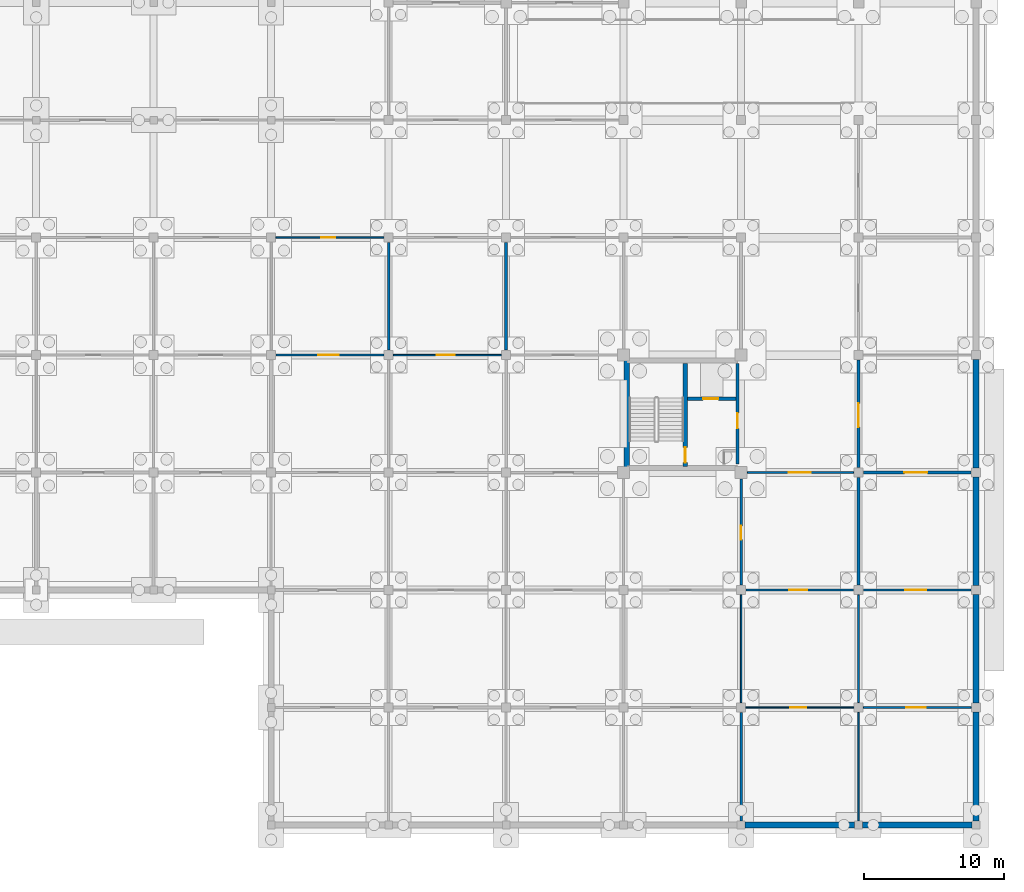
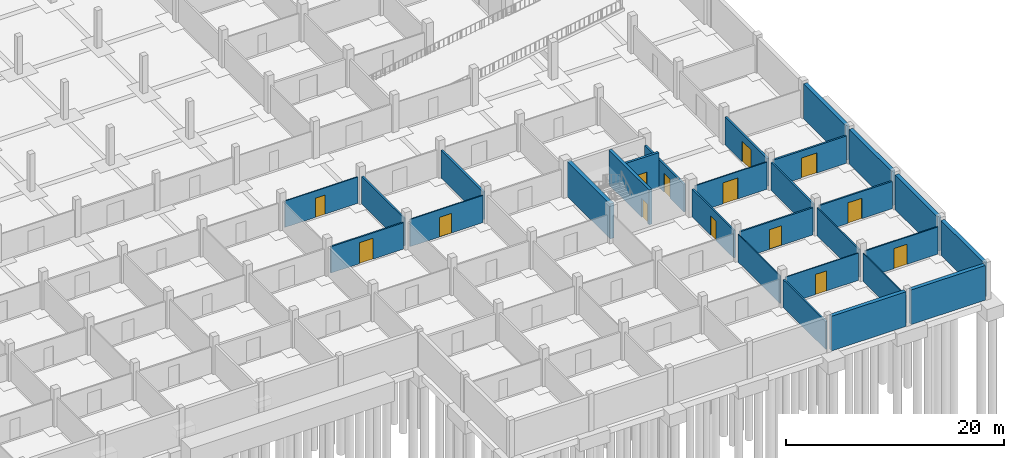
# One storey, part 33 of 43: 28 walls, 14 doors, 14 openings.
"""IFC4 building model written with IfcOpenShell, lengths in metres."""

from ifc_helpers import new_model, si_unit, direction, frame, frame_2d, origin, place, context, subcontext, project, spatial, rectangle, extrude, material, layer, layer_set, type_object, element, fill, save


model = new_model("IFC4")

# Units and contexts
model_context = context("Model", 3, precision=1e-05, world=origin(), true_north=direction((0.0, 1.0)))
body_context = subcontext(model_context, "Body", "Model", "MODEL_VIEW")
ifc_project = project(units=[si_unit("LENGTHUNIT", "METRE"), si_unit("AREAUNIT", "SQUARE_METRE"), si_unit("VOLUMEUNIT", "CUBIC_METRE"), si_unit("PLANEANGLEUNIT", "RADIAN"), si_unit("MASSUNIT", "GRAM", prefix="KILO")], contexts=[model_context])

# Site, building, storey
site_placement = place(None, origin())
site = spatial("IfcSite", under=ifc_project, at=site_placement, CompositionType="ELEMENT")
building_placement = place(site_placement, origin())
building = spatial("IfcBuilding", under=site, at=building_placement, Name="Varnapada Polytechnic", CompositionType="ELEMENT")
storey_placement = place(building_placement, frame((0.0, 0.0, -4.199951171875)))
storey = spatial("IfcBuildingStorey", under=building, at=storey_placement, Name="B1", CompositionType="ELEMENT", Elevation=-4.199951171875)

# Wall, opening, door
ifc_material_1 = material(Name="Autoclaved Aerated Concrete Block AAC-600", Category="concrete")
ifc_layer_1 = layer(ifc_material_1, 0.199951171875)
ifc_layer_set_1 = layer_set([ifc_layer_1], Name="Autoclaved Aerated Concrete Block AAC-600")
wall_type_1 = type_object("IfcWallType", Name="Interior Wall IW-01", PredefinedType="PARTITIONING", material=ifc_layer_set_1)
wall_1_placement = place(storey_placement, frame((159.340087890625, 33.0, 0.0), z_axis=(0.0, 0.0, 1.0), x_axis=(0.0, -1.0, 0.0)))
wall_1 = element("IfcWall", 1, at=wall_1_placement, inside=storey, type_object=wall_type_1, Name="B1 C6 firefighting lobby east wall", PredefinedType="PARTITIONING", context=body_context, shape_type="SweptSolid", body=[
    extrude(rectangle(XDim=7.199951171875, YDim=0.199951171875, at=frame_2d((3.60009765625, 0.0))), origin(), (0.0, 0.0, 1.0), 3.099853515625),
])
opening_1_placement = place(wall_1_placement, frame((3.550048828125, 0.0, 0.0)))
opening_1 = element("IfcOpeningElement", 2, at=opening_1_placement, cuts=wall_1, Name="Opening D-609", PredefinedType="OPENING", context=body_context, shape_type="SweptSolid", body=[
    extrude(rectangle(XDim=1.10009765625, YDim=2.14990234375, at=frame_2d((0.550048828125, 1.074951171875))), frame((0.0, 0.10986328125, 0.0), z_axis=(0.0, -1.0, 0.0), x_axis=(1.0, 0.0, 0.0)), (0.0, 0.0, 1.0), 0.219970703125),
])
ifc_material_2 = material(Name="Galvanized Steel Z275", Category="steel")
door_type_1 = type_object("IfcDoorType", Name="Interior Door ID-01", OperationType="NOTDEFINED", PredefinedType="DOOR", material=ifc_material_2)
door_1_placement = place(opening_1_placement, frame((1.10009765625, 0.0, 0.0), z_axis=(0.0, 0.0, 1.0), x_axis=(-1.0, 0.0, 0.0)))
door_1 = element("IfcDoor", 3, at=door_1_placement, inside=storey, type_object=door_type_1, Name="B1 C6 lobby fire door D-609", OperationType="SINGLE_SWING_LEFT", OverallHeight=2.14990234375, OverallWidth=1.10009765625, PredefinedType="DOOR", context=body_context, shape_type="SweptSolid", body=[
    extrude(rectangle(XDim=1.10009765625, YDim=2.14990234375, at=frame_2d((0.550048828125, 1.074951171875))), frame((0.0, 0.02490234375, 0.0), z_axis=(0.0, -1.0, 0.0), x_axis=(1.0, 0.0, 0.0)), (0.0, 0.0, 1.0), 0.050048828125),
])
fill(opening_1, door_1)

ifc_material_3 = material(Name="Cross-laminated timber CLT C24", Category="wood")
ifc_layer_2 = layer(ifc_material_3, 0.159912109375)
ifc_layer_set_2 = layer_set([ifc_layer_2], Name="Cross-laminated timber CLT C24")
wall_type_2 = type_object("IfcWallType", Name="Interior Wall IW-05", PredefinedType="PARTITIONING", material=ifc_layer_set_2)
wall_2_placement = place(storey_placement, frame((126.344970703125, 33.60009765625, 0.0), z_axis=(0.0, 0.0, 1.0), x_axis=(1.0, 0.0, 0.0)))
wall_2 = element("IfcWall", 4, at=wall_2_placement, inside=storey, type_object=wall_type_2, Name="B1 interior partition IW-B1-15-03-H", PredefinedType="PARTITIONING", context=body_context, shape_type="SweptSolid", body=[
    extrude(rectangle(XDim=7.7099609375, YDim=0.159912109375, at=frame_2d((3.85498046875, 0.0))), origin(), (0.0, 0.0, 1.0), 2.949951171875),
])
opening_2_placement = place(wall_2_placement, frame((3.02490234375, 0.0, 0.0)))
opening_2 = element("IfcOpeningElement", 5, at=opening_2_placement, cuts=wall_2, Name="Opening D-747", PredefinedType="OPENING", context=body_context, shape_type="SweptSolid", body=[
    extrude(rectangle(XDim=1.449951171875, YDim=2.35009765625, at=frame_2d((0.72509765625, 1.175048828125))), frame((0.0, 0.08984375, 0.0), z_axis=(0.0, -1.0, 0.0), x_axis=(1.0, 0.0, 0.0)), (0.0, 0.0, 1.0), 0.179931640625),
])
door_type_2 = type_object("IfcDoorType", Name="Interior Door ID-18", OperationType="NOTDEFINED", PredefinedType="DOOR", material=ifc_material_2)
door_2_placement = place(opening_2_placement, origin())
door_2 = element("IfcDoor", 6, at=door_2_placement, inside=storey, type_object=door_type_2, Name="B1 interior room door D-747", OperationType="SINGLE_SWING_RIGHT", OverallHeight=2.35009765625, OverallWidth=1.449951171875, PredefinedType="DOOR", context=body_context, shape_type="SweptSolid", body=[
    extrude(rectangle(XDim=1.449951171875, YDim=2.35009765625, at=frame_2d((0.72509765625, 1.175048828125))), frame((0.0, 0.02490234375, 0.0), z_axis=(0.0, -1.0, 0.0), x_axis=(1.0, 0.0, 0.0)), (0.0, 0.0, 1.0), 0.050048828125),
])
fill(opening_2, door_2)

# Walls
ifc_material_4 = material(Name="Acoustic Double-Stud Studio Partition")
ifc_layer_3 = layer(ifc_material_4, 0.179931640625)
ifc_layer_set_3 = layer_set([ifc_layer_3], Name="Acoustic Double-Stud Studio Partition")
wall_type_3 = type_object("IfcWallType", Name="Interior Wall IW-06", PredefinedType="PARTITIONING", material=ifc_layer_set_3)
wall_3_placement = place(storey_placement, frame((134.39990234375, 33.945068359375, 0.0), z_axis=(0.0, 0.0, 1.0), x_axis=(0.0, 1.0, 0.0)))
element("IfcWall", 7, at=wall_3_placement, inside=storey, type_object=wall_type_3, Name="B1 interior partition IW-B1-15-04-V", PredefinedType="PARTITIONING", context=body_context, shape_type="SweptSolid", body=[
    extrude(rectangle(XDim=7.7099609375, YDim=0.179931640625, at=frame_2d((3.85498046875, 0.0))), origin(), (0.0, 0.0, 1.0), 3.099853515625),
])
wall_4_placement = place(storey_placement, frame((159.60009765625, 0.294921875, 0.0), z_axis=(0.0, 0.0, 1.0), x_axis=(0.0, 1.0, 0.0)))
element("IfcWall", 8, at=wall_4_placement, inside=storey, type_object=wall_type_3, Name="B1 interior partition IW-B1-18-00-V", PredefinedType="PARTITIONING", context=body_context, shape_type="SweptSolid", body=[
    extrude(rectangle(XDim=7.760009765625, YDim=0.179931640625, at=frame_2d((3.8798828125, 0.0))), origin(), (0.0, 0.0, 1.0), 3.099853515625),
])

# Wall, opening, door
ifc_material_5 = material(Name="Glazed Timber-Framed Studio Screen", Category="wood")
ifc_layer_4 = layer(ifc_material_5, 0.110107421875)
ifc_layer_set_4 = layer_set([ifc_layer_4], Name="Glazed Timber-Framed Studio Screen")
wall_type_4 = type_object("IfcWallType", Name="Interior Wall IW-07", PredefinedType="PARTITIONING", material=ifc_layer_set_4)
wall_5_placement = place(storey_placement, frame((126.344970703125, 42.0, 0.0), z_axis=(0.0, 0.0, 1.0), x_axis=(1.0, 0.0, 0.0)))
wall_5 = element("IfcWall", 9, at=wall_5_placement, inside=storey, type_object=wall_type_4, Name="B1 interior partition IW-B1-15-04-H", PredefinedType="PARTITIONING", context=body_context, shape_type="SweptSolid", body=[
    extrude(rectangle(XDim=7.7099609375, YDim=0.110107421875, at=frame_2d((3.85498046875, 0.0))), origin(), (0.0, 0.0, 1.0), 2.949951171875),
])
opening_3_placement = place(wall_5_placement, frame((3.25, 0.0, 0.0)))
opening_3 = element("IfcOpeningElement", 10, at=opening_3_placement, cuts=wall_5, Name="Opening D-748", PredefinedType="OPENING", context=body_context, shape_type="SweptSolid", body=[
    extrude(rectangle(XDim=1.0, YDim=2.14990234375, at=frame_2d((0.5, 1.074951171875))), frame((0.0, 0.06494140625, 0.0), z_axis=(0.0, -1.0, 0.0), x_axis=(1.0, 0.0, 0.0)), (0.0, 0.0, 1.0), 0.130126953125),
])
ifc_material_6 = material(Name="Solid Teak Hardwood Timber", Category="wood")
door_type_3 = type_object("IfcDoorType", Name="Interior Door ID-02", OperationType="NOTDEFINED", PredefinedType="DOOR", material=ifc_material_6)
door_3_placement = place(opening_3_placement, origin())
door_3 = element("IfcDoor", 11, at=door_3_placement, inside=storey, type_object=door_type_3, Name="B1 interior room door D-748", OperationType="SINGLE_SWING_LEFT", OverallHeight=2.14990234375, OverallWidth=1.0, PredefinedType="DOOR", context=body_context, shape_type="SweptSolid", body=[
    extrude(rectangle(XDim=1.0, YDim=2.14990234375, at=frame_2d((0.5, 1.074951171875))), frame((0.0, 0.02490234375, 0.0), z_axis=(0.0, -1.0, 0.0), x_axis=(1.0, 0.0, 0.0)), (0.0, 0.0, 1.0), 0.050048828125),
])
fill(opening_3, door_3)

# Walls
wall_6_placement = place(storey_placement, frame((168.0, 0.294921875, 0.0), z_axis=(0.0, 0.0, 1.0), x_axis=(0.0, 1.0, 0.0)))
element("IfcWall", 12, at=wall_6_placement, inside=storey, type_object=wall_type_4, Name="B1 interior partition IW-B1-19-00-V", PredefinedType="PARTITIONING", context=body_context, shape_type="SweptSolid", body=[
    extrude(rectangle(XDim=7.760009765625, YDim=0.110107421875, at=frame_2d((3.8798828125, 0.0))), origin(), (0.0, 0.0, 1.0), 3.099853515625),
])
ifc_material_7 = material(Name="Operable Acoustic Seminar Partition")
ifc_layer_5 = layer(ifc_material_7, 0.10009765625)
ifc_layer_set_5 = layer_set([ifc_layer_5], Name="Operable Acoustic Seminar Partition")
wall_type_5 = type_object("IfcWallType", Name="Interior Wall IW-08", PredefinedType="MOVABLE", material=ifc_layer_set_5)
wall_7_placement = place(storey_placement, frame((159.60009765625, 8.7451171875, 0.0), z_axis=(0.0, 0.0, 1.0), x_axis=(0.0, 1.0, 0.0)))
element("IfcWall", 13, at=wall_7_placement, inside=storey, type_object=wall_type_5, Name="B1 interior partition IW-B1-18-01-V", PredefinedType="MOVABLE", context=body_context, shape_type="SweptSolid", body=[
    extrude(rectangle(XDim=7.7099609375, YDim=0.10009765625, at=frame_2d((3.85498046875, 0.0))), origin(), (0.0, 0.0, 1.0), 3.099853515625),
])

# Wall, opening, door
wall_8_placement = place(storey_placement, frame((159.945068359375, 8.39990234375, 0.0), z_axis=(0.0, 0.0, 1.0), x_axis=(1.0, 0.0, 0.0)))
wall_8 = element("IfcWall", 14, at=wall_8_placement, inside=storey, type_object=wall_type_5, Name="B1 interior partition IW-B1-19-00-H", PredefinedType="MOVABLE", context=body_context, shape_type="SweptSolid", body=[
    extrude(rectangle(XDim=7.7099609375, YDim=0.10009765625, at=frame_2d((3.85498046875, 0.0))), origin(), (0.0, 0.0, 1.0), 3.050048828125),
])
opening_4_placement = place(wall_8_placement, frame((3.175048828125, 0.0, 0.0)))
opening_4 = element("IfcOpeningElement", 15, at=opening_4_placement, cuts=wall_8, Name="Opening D-790", PredefinedType="OPENING", context=body_context, shape_type="SweptSolid", body=[
    extrude(rectangle(XDim=1.14990234375, YDim=2.25, at=frame_2d((0.574951171875, 1.125))), frame((0.0, 0.06005859375, 0.0), z_axis=(0.0, -1.0, 0.0), x_axis=(1.0, 0.0, 0.0)), (0.0, 0.0, 1.0), 0.1201171875),
])
ifc_material_8 = material(Name="Powder-Coated Aluminium 6063-T6", Category="aluminium")
door_type_4 = type_object("IfcDoorType", Name="Interior Door ID-10", OperationType="NOTDEFINED", PredefinedType="DOOR", material=ifc_material_8)
door_4_placement = place(opening_4_placement, origin())
door_4 = element("IfcDoor", 16, at=door_4_placement, inside=storey, type_object=door_type_4, Name="B1 interior room door D-790", OperationType="SINGLE_SWING_LEFT", OverallHeight=2.25, OverallWidth=1.14990234375, PredefinedType="DOOR", context=body_context, shape_type="SweptSolid", body=[
    extrude(rectangle(XDim=1.14990234375, YDim=2.25, at=frame_2d((0.574951171875, 1.125))), frame((0.0, 0.02490234375, 0.0), z_axis=(0.0, -1.0, 0.0), x_axis=(1.0, 0.0, 0.0)), (0.0, 0.0, 1.0), 0.050048828125),
])
fill(opening_4, door_4)

# Wall
ifc_material_9 = material(Name="Calcium Silicate Acoustic Lab Partition")
ifc_layer_6 = layer(ifc_material_9, 0.135009765625)
ifc_layer_set_6 = layer_set([ifc_layer_6], Name="Calcium Silicate Acoustic Lab Partition")
wall_type_6 = type_object("IfcWallType", Name="Interior Wall IW-09", PredefinedType="PARTITIONING", material=ifc_layer_set_6)
wall_9_placement = place(storey_placement, frame((168.0, 8.7451171875, 0.0), z_axis=(0.0, 0.0, 1.0), x_axis=(0.0, 1.0, 0.0)))
element("IfcWall", 17, at=wall_9_placement, inside=storey, type_object=wall_type_6, Name="B1 interior partition IW-B1-19-01-V", PredefinedType="PARTITIONING", context=body_context, shape_type="SweptSolid", body=[
    extrude(rectangle(XDim=7.7099609375, YDim=0.135009765625, at=frame_2d((3.85498046875, 0.0))), origin(), (0.0, 0.0, 1.0), 3.099853515625),
])

# Wall, opening, door
wall_10_placement = place(storey_placement, frame((168.344970703125, 8.39990234375, 0.0), z_axis=(0.0, 0.0, 1.0), x_axis=(1.0, 0.0, 0.0)))
wall_10 = element("IfcWall", 18, at=wall_10_placement, inside=storey, type_object=wall_type_6, Name="B1 interior partition IW-B1-20-00-H", PredefinedType="PARTITIONING", context=body_context, shape_type="SweptSolid", body=[
    extrude(rectangle(XDim=7.7099609375, YDim=0.135009765625, at=frame_2d((3.85498046875, 0.0))), origin(), (0.0, 0.0, 1.0), 3.050048828125),
])
opening_5_placement = place(wall_10_placement, frame((3.050048828125, 0.0, 0.0)))
opening_5 = element("IfcOpeningElement", 19, at=opening_5_placement, cuts=wall_10, Name="Opening D-803", PredefinedType="OPENING", context=body_context, shape_type="SweptSolid", body=[
    extrude(rectangle(XDim=1.39990234375, YDim=2.25, at=frame_2d((0.699951171875, 1.125))), frame((0.0, 0.077392578125, 0.0), z_axis=(0.0, -1.0, 0.0), x_axis=(1.0, 0.0, 0.0)), (0.0, 0.0, 1.0), 0.155029296875),
])
door_type_5 = type_object("IfcDoorType", Name="Interior Door ID-06", OperationType="NOTDEFINED", PredefinedType="DOOR", material=ifc_material_8)
door_5_placement = place(opening_5_placement, frame((1.39990234375, 0.0, 0.0), z_axis=(0.0, 0.0, 1.0), x_axis=(-1.0, 0.0, 0.0)))
door_5 = element("IfcDoor", 20, at=door_5_placement, inside=storey, type_object=door_type_5, Name="B1 interior room door D-803", OperationType="SINGLE_SWING_RIGHT", OverallHeight=2.25, OverallWidth=1.39990234375, PredefinedType="DOOR", context=body_context, shape_type="SweptSolid", body=[
    extrude(rectangle(XDim=1.39990234375, YDim=2.25, at=frame_2d((0.699951171875, 1.125))), frame((0.0, 0.02490234375, 0.0), z_axis=(0.0, -1.0, 0.0), x_axis=(1.0, 0.0, 0.0)), (0.0, 0.0, 1.0), 0.050048828125),
])
fill(opening_5, door_5)

ifc_material_10 = material(Name="Double-Layer Fireboard Workshop Wall")
ifc_layer_7 = layer(ifc_material_10, 0.169921875)
ifc_layer_set_7 = layer_set([ifc_layer_7], Name="Double-Layer Fireboard Workshop Wall")
wall_type_7 = type_object("IfcWallType", Name="Interior Wall IW-10", PredefinedType="PARTITIONING", material=ifc_layer_set_7)
wall_11_placement = place(storey_placement, frame((159.60009765625, 17.14501953125, 0.0), z_axis=(0.0, 0.0, 1.0), x_axis=(0.0, 1.0, 0.0)))
wall_11 = element("IfcWall", 21, at=wall_11_placement, inside=storey, type_object=wall_type_7, Name="B1 interior partition IW-B1-18-02-V", PredefinedType="PARTITIONING", context=body_context, shape_type="SweptSolid", body=[
    extrude(rectangle(XDim=7.60986328125, YDim=0.169921875, at=frame_2d((3.804931640625, 0.0))), origin(), (0.0, 0.0, 1.0), 3.099853515625),
])
opening_6_placement = place(wall_11_placement, frame((3.25, 0.0, 0.0)))
opening_6 = element("IfcOpeningElement", 22, at=opening_6_placement, cuts=wall_11, Name="Opening D-782", PredefinedType="OPENING", context=body_context, shape_type="SweptSolid", body=[
    extrude(rectangle(XDim=1.0, YDim=2.14990234375, at=frame_2d((0.5, 1.074951171875))), frame((0.0, 0.094970703125, 0.0), z_axis=(0.0, -1.0, 0.0), x_axis=(1.0, 0.0, 0.0)), (0.0, 0.0, 1.0), 0.18994140625),
])
door_6_placement = place(opening_6_placement, frame((1.0, 0.0, 0.0), z_axis=(0.0, 0.0, 1.0), x_axis=(-1.0, 0.0, 0.0)))
door_6 = element("IfcDoor", 23, at=door_6_placement, inside=storey, type_object=door_type_3, Name="B1 interior room door D-782", OperationType="SINGLE_SWING_LEFT", OverallHeight=2.14990234375, OverallWidth=1.0, PredefinedType="DOOR", context=body_context, shape_type="SweptSolid", body=[
    extrude(rectangle(XDim=1.0, YDim=2.14990234375, at=frame_2d((0.5, 1.074951171875))), frame((0.0, 0.02490234375, 0.0), z_axis=(0.0, -1.0, 0.0), x_axis=(1.0, 0.0, 0.0)), (0.0, 0.0, 1.0), 0.050048828125),
])
fill(opening_6, door_6)

wall_12_placement = place(storey_placement, frame((159.945068359375, 16.800048828125, 0.0), z_axis=(0.0, 0.0, 1.0), x_axis=(1.0, 0.0, 0.0)))
wall_12 = element("IfcWall", 24, at=wall_12_placement, inside=storey, type_object=wall_type_7, Name="B1 interior partition IW-B1-19-01-H", PredefinedType="PARTITIONING", context=body_context, shape_type="SweptSolid", body=[
    extrude(rectangle(XDim=7.7099609375, YDim=0.169921875, at=frame_2d((3.85498046875, 0.0))), origin(), (0.0, 0.0, 1.0), 3.050048828125),
])
opening_7_placement = place(wall_12_placement, frame((3.10009765625, 0.0, 0.0)))
opening_7 = element("IfcOpeningElement", 25, at=opening_7_placement, cuts=wall_12, Name="Opening D-791", PredefinedType="OPENING", context=body_context, shape_type="SweptSolid", body=[
    extrude(rectangle(XDim=1.300048828125, YDim=2.199951171875, at=frame_2d((0.64990234375, 1.10009765625))), frame((0.0, 0.094970703125, 0.0), z_axis=(0.0, -1.0, 0.0), x_axis=(1.0, 0.0, 0.0)), (0.0, 0.0, 1.0), 0.18994140625),
])
ifc_material_11 = material(Name="Acoustic Laminated Timber Leaf", Category="wood")
door_type_6 = type_object("IfcDoorType", Name="Interior Door ID-11", OperationType="NOTDEFINED", PredefinedType="DOOR", material=ifc_material_11)
door_7_placement = place(opening_7_placement, frame((1.300048828125, 0.0, 0.0), z_axis=(0.0, 0.0, 1.0), x_axis=(-1.0, 0.0, 0.0)))
door_7 = element("IfcDoor", 26, at=door_7_placement, inside=storey, type_object=door_type_6, Name="B1 interior room door D-791", OperationType="SINGLE_SWING_RIGHT", OverallHeight=2.199951171875, OverallWidth=1.300048828125, PredefinedType="DOOR", context=body_context, shape_type="SweptSolid", body=[
    extrude(rectangle(XDim=1.300048828125, YDim=2.199951171875, at=frame_2d((0.64990234375, 1.10009765625))), frame((0.0, 0.02490234375, 0.0), z_axis=(0.0, -1.0, 0.0), x_axis=(1.0, 0.0, 0.0)), (0.0, 0.0, 1.0), 0.050048828125),
])
fill(opening_7, door_7)

wall_13_placement = place(storey_placement, frame((168.344970703125, 16.800048828125, 0.0), z_axis=(0.0, 0.0, 1.0), x_axis=(1.0, 0.0, 0.0)))
wall_13 = element("IfcWall", 27, at=wall_13_placement, inside=storey, type_object=wall_type_7, Name="B1 interior partition IW-B1-20-01-H", PredefinedType="PARTITIONING", context=body_context, shape_type="SweptSolid", body=[
    extrude(rectangle(XDim=7.7099609375, YDim=0.169921875, at=frame_2d((3.85498046875, 0.0))), origin(), (0.0, 0.0, 1.0), 3.050048828125),
])
opening_8_placement = place(wall_13_placement, frame((3.0, 0.0, 0.0)))
opening_8 = element("IfcOpeningElement", 28, at=opening_8_placement, cuts=wall_13, Name="Opening D-804", PredefinedType="OPENING", context=body_context, shape_type="SweptSolid", body=[
    extrude(rectangle(XDim=1.5, YDim=2.300048828125, at=frame_2d((0.75, 1.14990234375))), frame((0.0, 0.094970703125, 0.0), z_axis=(0.0, -1.0, 0.0), x_axis=(1.0, 0.0, 0.0)), (0.0, 0.0, 1.0), 0.18994140625),
])
door_type_7 = type_object("IfcDoorType", Name="Interior Door ID-07", OperationType="NOTDEFINED", PredefinedType="DOOR", material=ifc_material_2)
door_8_placement = place(opening_8_placement, origin())
door_8 = element("IfcDoor", 29, at=door_8_placement, inside=storey, type_object=door_type_7, Name="B1 interior room door D-804", OperationType="SINGLE_SWING_LEFT", OverallHeight=2.300048828125, OverallWidth=1.5, PredefinedType="DOOR", context=body_context, shape_type="SweptSolid", body=[
    extrude(rectangle(XDim=1.5, YDim=2.300048828125, at=frame_2d((0.75, 1.14990234375))), frame((0.0, 0.02490234375, 0.0), z_axis=(0.0, -1.0, 0.0), x_axis=(1.0, 0.0, 0.0)), (0.0, 0.0, 1.0), 0.050048828125),
])
fill(opening_8, door_8)

# Wall
ifc_material_12 = material(Name="Insulated Masonry Plant Room Wall", Category="masonry")
ifc_layer_8 = layer(ifc_material_12, 0.18994140625)
ifc_layer_set_8 = layer_set([ifc_layer_8], Name="Insulated Masonry Plant Room Wall")
wall_type_8 = type_object("IfcWallType", Name="Interior Wall IW-11", PredefinedType="PARTITIONING", material=ifc_layer_set_8)
wall_14_placement = place(storey_placement, frame((168.0, 17.14501953125, 0.0), z_axis=(0.0, 0.0, 1.0), x_axis=(0.0, 1.0, 0.0)))
element("IfcWall", 30, at=wall_14_placement, inside=storey, type_object=wall_type_8, Name="B1 interior partition IW-B1-19-02-V", PredefinedType="PARTITIONING", context=body_context, shape_type="SweptSolid", body=[
    extrude(rectangle(XDim=7.7099609375, YDim=0.18994140625, at=frame_2d((3.85498046875, 0.0))), origin(), (0.0, 0.0, 1.0), 3.099853515625),
])

# Wall, opening, door
wall_15_placement = place(storey_placement, frame((168.344970703125, 25.199951171875, 0.0), z_axis=(0.0, 0.0, 1.0), x_axis=(1.0, 0.0, 0.0)))
wall_15 = element("IfcWall", 31, at=wall_15_placement, inside=storey, type_object=wall_type_8, Name="B1 interior partition IW-B1-20-02-H", PredefinedType="PARTITIONING", context=body_context, shape_type="SweptSolid", body=[
    extrude(rectangle(XDim=7.7099609375, YDim=0.18994140625, at=frame_2d((3.85498046875, 0.0))), origin(), (0.0, 0.0, 1.0), 3.050048828125),
])
opening_9_placement = place(wall_15_placement, frame((2.925048828125, 0.0, 0.0)))
opening_9 = element("IfcOpeningElement", 32, at=opening_9_placement, cuts=wall_15, Name="Opening D-805", PredefinedType="OPENING", context=body_context, shape_type="SweptSolid", body=[
    extrude(rectangle(XDim=1.64990234375, YDim=2.25, at=frame_2d((0.824951171875, 1.125))), frame((0.0, 0.10498046875, 0.0), z_axis=(0.0, -1.0, 0.0), x_axis=(1.0, 0.0, 0.0)), (0.0, 0.0, 1.0), 0.2099609375),
])
door_type_8 = type_object("IfcDoorType", Name="Interior Door ID-08", OperationType="NOTDEFINED", PredefinedType="DOOR", material=ifc_material_6)
door_9_placement = place(opening_9_placement, origin())
door_9 = element("IfcDoor", 33, at=door_9_placement, inside=storey, type_object=door_type_8, Name="B1 interior room door D-805", OperationType="SINGLE_SWING_RIGHT", OverallHeight=2.25, OverallWidth=1.64990234375, PredefinedType="DOOR", context=body_context, shape_type="SweptSolid", body=[
    extrude(rectangle(XDim=1.64990234375, YDim=2.25, at=frame_2d((0.824951171875, 1.125))), frame((0.0, 0.02490234375, 0.0), z_axis=(0.0, -1.0, 0.0), x_axis=(1.0, 0.0, 0.0)), (0.0, 0.0, 1.0), 0.050048828125),
])
fill(opening_9, door_9)

ifc_material_13 = material(Name="Timber-Stud Studio Critique Partition", Category="wood")
ifc_layer_9 = layer(ifc_material_13, 0.114990234375)
ifc_layer_set_9 = layer_set([ifc_layer_9], Name="Timber-Stud Studio Critique Partition")
wall_type_9 = type_object("IfcWallType", Name="Interior Wall IW-12", PredefinedType="PARTITIONING", material=ifc_layer_set_9)
wall_16_placement = place(storey_placement, frame((134.7451171875, 33.60009765625, 0.0), z_axis=(0.0, 0.0, 1.0), x_axis=(1.0, 0.0, 0.0)))
wall_16 = element("IfcWall", 34, at=wall_16_placement, inside=storey, type_object=wall_type_9, Name="B1 interior partition IW-B1-16-03-H", PredefinedType="PARTITIONING", context=body_context, shape_type="SweptSolid", body=[
    extrude(rectangle(XDim=7.7099609375, YDim=0.114990234375, at=frame_2d((3.85498046875, 0.0))), origin(), (0.0, 0.0, 1.0), 3.050048828125),
])
opening_10_placement = place(wall_16_placement, frame((3.10009765625, 0.0, 0.0)))
opening_10 = element("IfcOpeningElement", 35, at=opening_10_placement, cuts=wall_16, Name="Opening D-757", PredefinedType="OPENING", context=body_context, shape_type="SweptSolid", body=[
    extrude(rectangle(XDim=1.300048828125, YDim=2.199951171875, at=frame_2d((0.64990234375, 1.10009765625))), frame((0.0, 0.0673828125, 0.0), z_axis=(0.0, -1.0, 0.0), x_axis=(1.0, 0.0, 0.0)), (0.0, 0.0, 1.0), 0.135009765625),
])
door_10_placement = place(opening_10_placement, origin())
door_10 = element("IfcDoor", 36, at=door_10_placement, inside=storey, type_object=door_type_6, Name="B1 interior room door D-757", OperationType="SINGLE_SWING_RIGHT", OverallHeight=2.199951171875, OverallWidth=1.300048828125, PredefinedType="DOOR", context=body_context, shape_type="SweptSolid", body=[
    extrude(rectangle(XDim=1.300048828125, YDim=2.199951171875, at=frame_2d((0.64990234375, 1.10009765625))), frame((0.0, 0.02490234375, 0.0), z_axis=(0.0, -1.0, 0.0), x_axis=(1.0, 0.0, 0.0)), (0.0, 0.0, 1.0), 0.050048828125),
])
fill(opening_10, door_10)

wall_17_placement = place(storey_placement, frame((160.044921875, 25.199951171875, 0.0), z_axis=(0.0, 0.0, 1.0), x_axis=(1.0, 0.0, 0.0)))
wall_17 = element("IfcWall", 37, at=wall_17_placement, inside=storey, type_object=wall_type_9, Name="B1 interior partition IW-B1-19-02-H", PredefinedType="PARTITIONING", context=body_context, shape_type="SweptSolid", body=[
    extrude(rectangle(XDim=7.610107421875, YDim=0.114990234375, at=frame_2d((3.80517578125, 0.0))), origin(), (0.0, 0.0, 1.0), 3.050048828125),
])
opening_11_placement = place(wall_17_placement, frame((2.97509765625, 0.0, 0.0)))
opening_11 = element("IfcOpeningElement", 38, at=opening_11_placement, cuts=wall_17, Name="Opening D-792", PredefinedType="OPENING", context=body_context, shape_type="SweptSolid", body=[
    extrude(rectangle(XDim=1.550048828125, YDim=2.35009765625, at=frame_2d((0.77490234375, 1.175048828125))), frame((0.0, 0.0673828125, 0.0), z_axis=(0.0, -1.0, 0.0), x_axis=(1.0, 0.0, 0.0)), (0.0, 0.0, 1.0), 0.135009765625),
])
door_type_9 = type_object("IfcDoorType", Name="Interior Door ID-12", OperationType="NOTDEFINED", PredefinedType="DOOR", material=ifc_material_2)
door_11_placement = place(opening_11_placement, origin())
door_11 = element("IfcDoor", 39, at=door_11_placement, inside=storey, type_object=door_type_9, Name="B1 interior room door D-792", OperationType="SINGLE_SWING_LEFT", OverallHeight=2.35009765625, OverallWidth=1.550048828125, PredefinedType="DOOR", context=body_context, shape_type="SweptSolid", body=[
    extrude(rectangle(XDim=1.550048828125, YDim=2.35009765625, at=frame_2d((0.77490234375, 1.175048828125))), frame((0.0, 0.02490234375, 0.0), z_axis=(0.0, -1.0, 0.0), x_axis=(1.0, 0.0, 0.0)), (0.0, 0.0, 1.0), 0.050048828125),
])
fill(opening_11, door_11)

# Wall
ifc_material_14 = material(Name="Heavy Acoustic Auditorium Baffle Wall")
ifc_layer_10 = layer(ifc_material_14, 0.219970703125)
ifc_layer_set_10 = layer_set([ifc_layer_10], Name="Heavy Acoustic Auditorium Baffle Wall")
wall_type_10 = type_object("IfcWallType", Name="Interior Wall IW-13", PredefinedType="PARTITIONING", material=ifc_layer_set_10)
wall_18_placement = place(storey_placement, frame((142.800048828125, 33.945068359375, 0.0), z_axis=(0.0, 0.0, 1.0), x_axis=(0.0, 1.0, 0.0)))
element("IfcWall", 40, at=wall_18_placement, inside=storey, type_object=wall_type_10, Name="B1 interior partition IW-B1-16-04-V", PredefinedType="PARTITIONING", context=body_context, shape_type="SweptSolid", body=[
    extrude(rectangle(XDim=7.7099609375, YDim=0.219970703125, at=frame_2d((3.85498046875, 0.0))), origin(), (0.0, 0.0, 1.0), 3.099853515625),
])

# Wall, opening, door
wall_19_placement = place(storey_placement, frame((168.0, 25.544921875, 0.0), z_axis=(0.0, 0.0, 1.0), x_axis=(0.0, 1.0, 0.0)))
wall_19 = element("IfcWall", 41, at=wall_19_placement, inside=storey, type_object=wall_type_10, Name="B1 interior partition IW-B1-19-03-V", PredefinedType="PARTITIONING", context=body_context, shape_type="SweptSolid", body=[
    extrude(rectangle(XDim=7.7099609375, YDim=0.219970703125, at=frame_2d((3.85498046875, 0.0))), origin(), (0.0, 0.0, 1.0), 3.099853515625),
])
opening_12_placement = place(wall_19_placement, frame((2.89990234375, 0.0, 0.0)))
opening_12 = element("IfcOpeningElement", 42, at=opening_12_placement, cuts=wall_19, Name="Opening D-793", PredefinedType="OPENING", context=body_context, shape_type="SweptSolid", body=[
    extrude(rectangle(XDim=1.699951171875, YDim=2.300048828125, at=frame_2d((0.85009765625, 1.14990234375))), frame((0.0, 0.119873046875, 0.0), z_axis=(0.0, -1.0, 0.0), x_axis=(1.0, 0.0, 0.0)), (0.0, 0.0, 1.0), 0.239990234375),
])
ifc_material_15 = material(Name="Acoustic Double Timber Leaf", Category="wood")
door_type_10 = type_object("IfcDoorType", Name="Interior Door ID-13", OperationType="NOTDEFINED", PredefinedType="DOOR", material=ifc_material_15)
door_12_placement = place(opening_12_placement, origin())
door_12 = element("IfcDoor", 43, at=door_12_placement, inside=storey, type_object=door_type_10, Name="B1 interior room door D-793", OperationType="SINGLE_SWING_RIGHT", OverallHeight=2.300048828125, OverallWidth=1.699951171875, PredefinedType="DOOR", context=body_context, shape_type="SweptSolid", body=[
    extrude(rectangle(XDim=1.699951171875, YDim=2.300048828125, at=frame_2d((0.85009765625, 1.14990234375))), frame((0.0, 0.02490234375, 0.0), z_axis=(0.0, -1.0, 0.0), x_axis=(1.0, 0.0, 0.0)), (0.0, 0.0, 1.0), 0.050048828125),
])
fill(opening_12, door_12)

ifc_material_16 = material(Name="Concrete C40/50", Category="concrete")
ifc_layer_11 = layer(ifc_material_16, 0.300048828125)
ifc_layer_set_11 = layer_set([ifc_layer_11], Name="Concrete C40/50")
wall_type_11 = type_object("IfcWallType", Name="Interior Wall SW-02", PredefinedType="SHEAR", material=ifc_layer_set_11)
wall_20_placement = place(storey_placement, frame((155.610107421875, 25.6201171875, 0.0), z_axis=(0.0, 0.0, 1.0), x_axis=(0.0, 1.0, 0.0)))
wall_20 = element("IfcWall", 44, at=wall_20_placement, inside=storey, type_object=wall_type_11, Name="B1 C6 stair-lobby dividing shear wall", PredefinedType="SHEAR", context=body_context, shape_type="SweptSolid", body=[
    extrude(rectangle(XDim=7.3798828125, YDim=0.300048828125, at=frame_2d((3.68994140625, 0.0))), origin(), (0.0, 0.0, 1.0), 3.89990234375),
])
opening_13_placement = place(wall_20_placement, frame((0.280029296875, 0.0, 0.0)))
opening_13 = element("IfcOpeningElement", 45, at=opening_13_placement, cuts=wall_20, Name="Opening D-610", PredefinedType="OPENING", context=body_context, shape_type="SweptSolid", body=[
    extrude(rectangle(XDim=1.10009765625, YDim=2.14990234375, at=frame_2d((0.550048828125, 1.074951171875))), frame((0.0, 0.159912109375, 0.0), z_axis=(0.0, -1.0, 0.0), x_axis=(1.0, 0.0, 0.0)), (0.0, 0.0, 1.0), 0.320068359375),
])
door_13_placement = place(opening_13_placement, origin())
door_13 = element("IfcDoor", 46, at=door_13_placement, inside=storey, type_object=door_type_1, Name="B1 C6 exit stair door D-610", OperationType="SINGLE_SWING_LEFT", OverallHeight=2.14990234375, OverallWidth=1.10009765625, PredefinedType="DOOR", context=body_context, shape_type="SweptSolid", body=[
    extrude(rectangle(XDim=1.10009765625, YDim=2.14990234375, at=frame_2d((0.550048828125, 1.074951171875))), frame((0.0, 0.02490234375, 0.0), z_axis=(0.0, -1.0, 0.0), x_axis=(1.0, 0.0, 0.0)), (0.0, 0.0, 1.0), 0.050048828125),
])
fill(opening_13, door_13)

# Wall
ifc_layer_12 = layer(ifc_material_16, 0.39990234375)
ifc_layer_set_12 = layer_set([ifc_layer_12], Name="Concrete C40/50")
wall_type_12 = type_object("IfcWallType", Name="Interior Wall SW-03", PredefinedType="SHEAR", material=ifc_layer_set_12)
wall_21_placement = place(storey_placement, frame((151.43994140625, 25.449951171875, 0.0), z_axis=(0.0, 0.0, 1.0), x_axis=(0.0, 1.0, 0.0)))
element("IfcWall", 47, at=wall_21_placement, inside=storey, type_object=wall_type_12, Name="B1 C6 stair west shear wall", PredefinedType="SHEAR", context=body_context, shape_type="SweptSolid", body=[
    extrude(rectangle(XDim=7.93994140625, YDim=0.39990234375, at=frame_2d((3.969970703125, 0.0))), origin(), (0.0, 0.0, 1.0), 3.89990234375),
])

# Wall, opening, door
ifc_layer_13 = layer(ifc_material_16, 0.25)
ifc_layer_set_13 = layer_set([ifc_layer_13], Name="Concrete C40/50")
wall_type_13 = type_object("IfcWallType", Name="Interior Wall SW-05", PredefinedType="SHEAR", material=ifc_layer_set_13)
wall_22_placement = place(storey_placement, frame((155.780029296875, 30.47998046875, 0.0), z_axis=(0.0, 0.0, 1.0), x_axis=(1.0, 0.0, 0.0)))
wall_22 = element("IfcWall", 48, at=wall_22_placement, inside=storey, type_object=wall_type_13, Name="B1 C6 lift shaft front wall", PredefinedType="SHEAR", context=body_context, shape_type="SweptSolid", body=[
    extrude(rectangle(XDim=3.4599609375, YDim=0.25, at=frame_2d((1.72998046875, 0.0))), origin(), (0.0, 0.0, 1.0), 3.89990234375),
])
opening_14_placement = place(wall_22_placement, frame((1.10009765625, 0.0, 0.0)))
opening_14 = element("IfcOpeningElement", 49, at=opening_14_placement, cuts=wall_22, Name="Opening LD-005", PredefinedType="OPENING", context=body_context, shape_type="SweptSolid", body=[
    extrude(rectangle(XDim=1.10009765625, YDim=2.14990234375, at=frame_2d((0.550048828125, 1.074951171875))), frame((0.0, 0.135009765625, 0.0), z_axis=(0.0, -1.0, 0.0), x_axis=(1.0, 0.0, 0.0)), (0.0, 0.0, 1.0), 0.27001953125),
])
ifc_material_17 = material(Name="Brushed Stainless Steel 316", Category="steel")
door_type_11 = type_object("IfcDoorType", Name="Interior Door LD-01", OperationType="NOTDEFINED", PredefinedType="DOOR", material=ifc_material_17)
door_14_placement = place(opening_14_placement, origin())
door_14 = element("IfcDoor", 50, at=door_14_placement, inside=storey, type_object=door_type_11, Name="B1 LFT-06 sliding lift landing door LD-005", OperationType="DOUBLE_DOOR_SLIDING", OverallHeight=2.14990234375, OverallWidth=1.10009765625, PredefinedType="DOOR", context=body_context, shape_type="SweptSolid", body=[
    extrude(rectangle(XDim=1.10009765625, YDim=2.14990234375, at=frame_2d((0.550048828125, 1.074951171875))), frame((0.0, 0.02490234375, 0.0), z_axis=(0.0, -1.0, 0.0), x_axis=(1.0, 0.0, 0.0)), (0.0, 0.0, 1.0), 0.050048828125),
])
fill(opening_14, door_14)

# Walls
ifc_layer_14 = layer(ifc_material_16, 0.39990234375)
ifc_layer_set_14 = layer_set([ifc_layer_14], Name="Concrete C40/50")
wall_type_14 = type_object("IfcWallType", Name="Wall RW-01", PredefinedType="STANDARD", material=ifc_layer_set_14)
for number, where, z_axis, x_axis, name in (
    (51, (167.72509765625, 0.0, 0.0), (0.0, 0.0, 1.0), (-1.0, 0.0, 0.0), "B1 perimeter retaining wall 61"),
    (52, (176.125, 0.0, 0.0), (0.0, 0.0, 1.0), (-1.0, 0.0, 0.0), "B1 perimeter retaining wall 63"),
):
    element("IfcWall", number, at=place(storey_placement, frame(where, z_axis=z_axis, x_axis=x_axis)), inside=storey, type_object=wall_type_14, Name=name, PredefinedType="STANDARD", context=body_context, shape_type="SweptSolid", body=[
        extrude(rectangle(XDim=7.85009765625, YDim=0.39990234375, at=frame_2d((3.925048828125, 0.0))), origin(), (0.0, 0.0, 1.0), 3.8798828125),
    ])
wall_23_placement = place(storey_placement, frame((176.39990234375, 8.074951171875, 0.0), z_axis=(0.0, 0.0, 1.0), x_axis=(0.0, -1.0, 0.0)))
element("IfcWall", 53, at=wall_23_placement, inside=storey, type_object=wall_type_14, Name="B1 perimeter retaining wall 64", PredefinedType="STANDARD", context=body_context, shape_type="SweptSolid", body=[
    extrude(rectangle(XDim=7.800048828125, YDim=0.39990234375, at=frame_2d((3.89990234375, 0.0))), origin(), (0.0, 0.0, 1.0), 3.8798828125),
])
for number, where, z_axis, x_axis, name in (
    (54, (176.39990234375, 16.47509765625, 0.0), (0.0, 0.0, 1.0), (0.0, -1.0, 0.0), "B1 perimeter retaining wall 65"),
    (55, (176.39990234375, 24.875, 0.0), (0.0, 0.0, 1.0), (0.0, -1.0, 0.0), "B1 perimeter retaining wall 66"),
    (56, (176.39990234375, 33.27490234375, 0.0), (0.0, 0.0, 1.0), (0.0, -1.0, 0.0), "B1 perimeter retaining wall 67"),
):
    element("IfcWall", number, at=place(storey_placement, frame(where, z_axis=z_axis, x_axis=x_axis)), inside=storey, type_object=wall_type_14, Name=name, PredefinedType="STANDARD", context=body_context, shape_type="SweptSolid", body=[
        extrude(rectangle(XDim=7.75, YDim=0.39990234375, at=frame_2d((3.875, 0.0))), origin(), (0.0, 0.0, 1.0), 3.8798828125),
    ])

save(model, "model.ifc")
